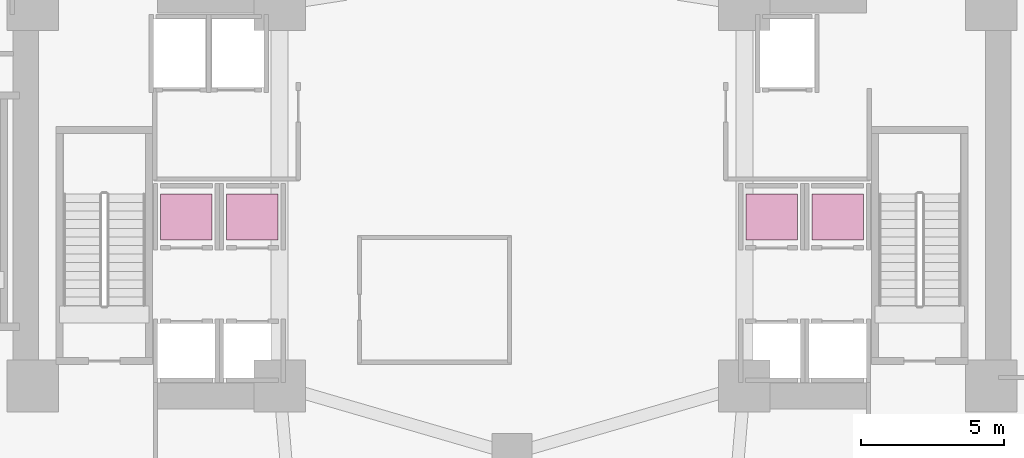
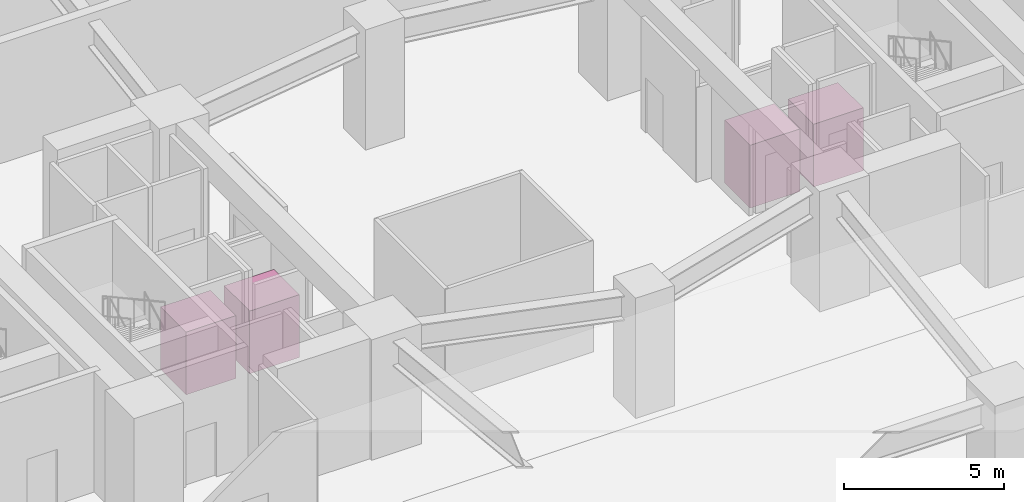
# One storey, part 18 of 18: 4 transport elements.
"""IFC4 building model written with IfcOpenShell, lengths in metres."""

from ifc_helpers import new_model, si_unit, direction, frame, origin, origin_2d, place, context, subcontext, project, spatial, rectangle, extrude, material, type_object, element, save


model = new_model("IFC4")

# Units and contexts
model_context = context("Model", 3, precision=1e-05, world=origin(), true_north=direction((0.0, 1.0)))
body_context = subcontext(model_context, "Body", "Model", "MODEL_VIEW")
ifc_project = project(units=[si_unit("LENGTHUNIT", "METRE"), si_unit("AREAUNIT", "SQUARE_METRE"), si_unit("VOLUMEUNIT", "CUBIC_METRE"), si_unit("PLANEANGLEUNIT", "RADIAN"), si_unit("MASSUNIT", "GRAM", prefix="KILO")], contexts=[model_context])

# Site, building, storey
site_placement = place(None, origin())
site = spatial("IfcSite", under=ifc_project, at=site_placement, CompositionType="ELEMENT")
building_placement = place(site_placement, origin())
building = spatial("IfcBuilding", under=site, at=building_placement, Name="Solvane Sanctuary Tower", CompositionType="ELEMENT")
storey_placement = place(building_placement, origin())
storey = spatial("IfcBuildingStorey", under=building, at=storey_placement, Name="L01", CompositionType="ELEMENT", Elevation=0.0)

# Transport elements
ifc_material = material(Name="Architectural Stainless Steel 316", Category="steel")
transport_element_type = type_object("IfcTransportElementType", Name="Lift Car LF-PASS", PredefinedType="ELEVATOR", material=ifc_material)
for number, where, z_axis, x_axis, name in (
    (1, (20.64990234375, 22.800048828125, 0.0), (0.0, 0.0, 1.0), (1.0, 0.0, 0.0), "Elevator PM-1"),
    (2, (43.35009765625, 22.800048828125, 0.0), (0.0, 0.0, 1.0), (1.0, 0.0, 0.0), "Elevator PM-2"),
    (3, (22.949951171875, 22.800048828125, 0.0), (0.0, 0.0, 1.0), (1.0, 0.0, 0.0), "Elevator PH-1"),
    (4, (41.050048828125, 22.800048828125, 0.0), (0.0, 0.0, 1.0), (1.0, 0.0, 0.0), "Elevator PH-2"),
):
    element("IfcTransportElement", number, at=place(storey_placement, frame(where, z_axis=z_axis, x_axis=x_axis)), inside=storey, type_object=transport_element_type, Name=name, PredefinedType="ELEVATOR", context=body_context, shape_type="SweptSolid", body=[
        extrude(rectangle(XDim=1.800048828125, YDim=1.60009765625, at=origin_2d()), origin(), (0.0, 0.0, 1.0), 2.39990234375),
    ])

save(model, "model.ifc")
